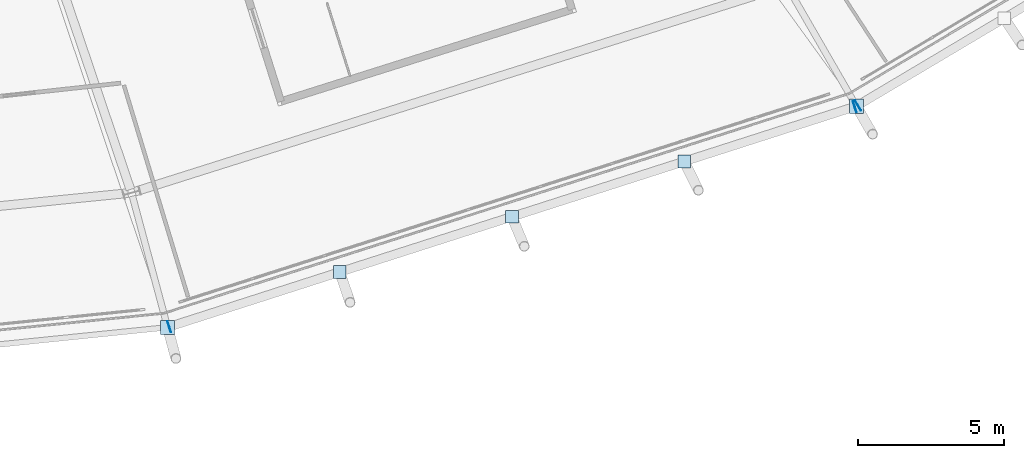
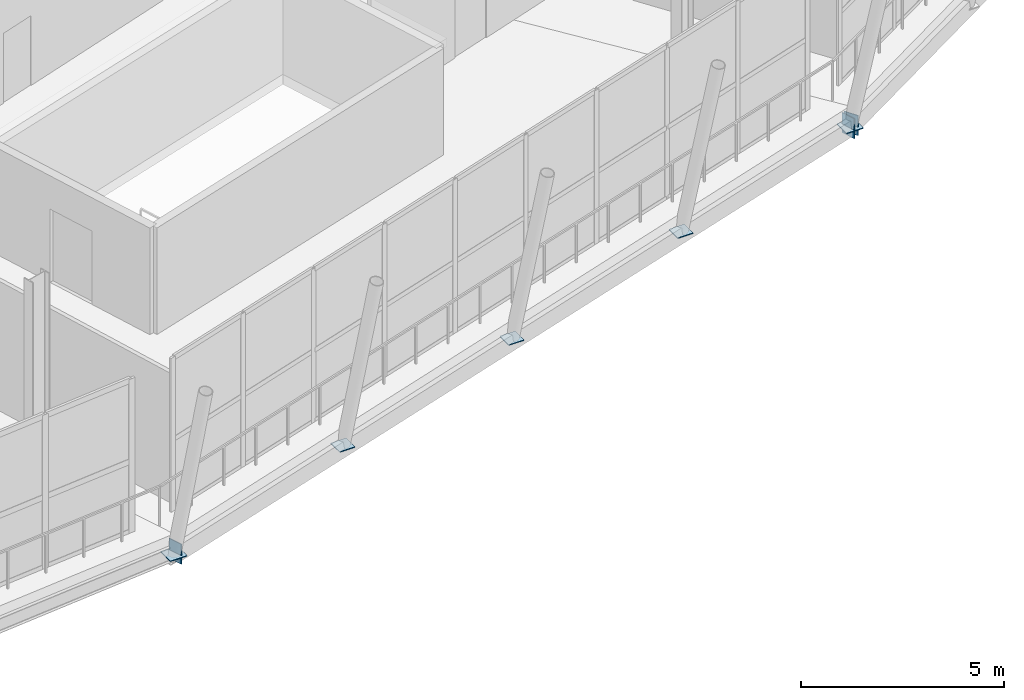
# One storey, part 82 of 126: 8 plates.
"""IFC4 building model written with IfcOpenShell, lengths in metres."""

from ifc_helpers import new_model, si_unit, direction, frame, origin, origin_2d, place, context, subcontext, project, spatial, rectangle, extrude, material, layer, layer_set, type_object, element, save


model = new_model("IFC4")

# Units and contexts
model_context = context("Model", 3, precision=1e-05, world=origin(), true_north=direction((0.0, 1.0)))
body_context = subcontext(model_context, "Body", "Model", "MODEL_VIEW")
ifc_project = project(units=[si_unit("LENGTHUNIT", "METRE"), si_unit("AREAUNIT", "SQUARE_METRE"), si_unit("VOLUMEUNIT", "CUBIC_METRE"), si_unit("PLANEANGLEUNIT", "RADIAN"), si_unit("MASSUNIT", "GRAM", prefix="KILO")], contexts=[model_context])

# Site, building, storey
site_placement = place(None, origin())
site = spatial("IfcSite", under=ifc_project, at=site_placement, CompositionType="ELEMENT")
building_placement = place(site_placement, origin())
building = spatial("IfcBuilding", under=site, at=building_placement, Name="Zlatoyarsky Gate Stadium", CompositionType="ELEMENT")
storey_placement = place(building_placement, frame((0.0, 0.0, 20.800048828125)))
storey = spatial("IfcBuildingStorey", under=building, at=storey_placement, Name="L04", CompositionType="ELEMENT", Elevation=20.800048828125)

# Plates
ifc_material = material(Name="Steel S355", Category="steel")
ifc_layer = layer(ifc_material, 0.02392578125)
ifc_layer_set = layer_set([ifc_layer], Name="Steel S355")
plate_type = type_object("IfcPlateType", Name="STEEL HOLLOW CHORD SPLICE SHEET 24", PredefinedType="SHEET", material=ifc_layer_set)
for number, where, z_axis, x_axis, name in (
    (1, (136.36181640625, 6.83056640625, -0.85009765625), (0.0, 0.0, 1.0), (0.952145539472, 0.305645009225, 0.0), "Hollow end cap ND-SP1 CAP-L04-SPD-19 A"),
    (2, (159.82763671875, 14.36328125, -0.85009765625), (0.0, 0.0, 1.0), (0.952145539472, 0.305645009225, 0.0), "Hollow end cap ND-SP1 CAP-L04-SPD-19 B"),
):
    element("IfcPlate", number, at=place(storey_placement, frame(where, z_axis=z_axis, x_axis=x_axis)), inside=storey, type_object=plate_type, Name=name, PredefinedType="SHEET", context=body_context, shape_type="SweptSolid", body=[
        extrude(rectangle(XDim=0.02392578125, YDim=0.39990234375, at=origin_2d()), origin(), (0.0, 0.0, 1.0), 0.60009765625),
    ])
plate_1_placement = place(storey_placement, frame((136.3046875, 6.812255859375, -0.612060546875), z_axis=(0.0, 0.0, 1.0), x_axis=(1.0, 0.0, 0.0)))
element("IfcPlate", 3, at=plate_1_placement, inside=storey, type_object=plate_type, Name="Node closure plate ND-SP1 NCAP-L04-RSTR-19", PredefinedType="SHEET", context=body_context, shape_type="SweptSolid", body=[
    extrude(rectangle(XDim=0.47998046875, YDim=0.47998046875, at=origin_2d()), origin(), (0.0, 0.0, 1.0), 0.02392578125),
])
plate_2_placement = place(storey_placement, frame((159.936279296875, 14.412353515625, -0.85009765625), z_axis=(0.0, 0.0, 1.0), x_axis=(0.859509176685, 0.511120313815, 0.0)))
element("IfcPlate", 4, at=plate_2_placement, inside=storey, type_object=plate_type, Name="Hollow end cap ND-SP1 CAP-L04-SPD-20 A", PredefinedType="SHEET", context=body_context, shape_type="SweptSolid", body=[
    extrude(rectangle(XDim=0.02392578125, YDim=0.39990234375, at=origin_2d()), origin(), (0.0, 0.0, 1.0), 0.60009765625),
])
plate_3_placement = place(storey_placement, frame((159.884765625, 14.381591796875, -0.612060546875), z_axis=(0.0, 0.0, 1.0), x_axis=(1.0, 0.0, 0.0)))
element("IfcPlate", 5, at=plate_3_placement, inside=storey, type_object=plate_type, Name="Node closure plate ND-SP1 NCAP-L04-RSTR-20", PredefinedType="SHEET", context=body_context, shape_type="SweptSolid", body=[
    extrude(rectangle(XDim=0.47998046875, YDim=0.47998046875, at=origin_2d()), origin(), (0.0, 0.0, 1.0), 0.02392578125),
])
for number, where, z_axis, x_axis, name in (
    (6, (142.19970703125, 8.70458984375, -0.56201171875), (0.0, 0.0, 1.0), (1.0, 0.0, 0.0), "Node closure plate ND-SP1 NCAP-RIB-19-1-2T"),
    (7, (148.0947265625, 10.596923828125, -0.56201171875), (0.0, 0.0, 1.0), (1.0, 0.0, 0.0), "Node closure plate ND-SP1 NCAP-RIB-19-2-2T"),
    (8, (153.98974609375, 12.4892578125, -0.56201171875), (0.0, 0.0, 1.0), (1.0, 0.0, 0.0), "Node closure plate ND-SP1 NCAP-RIB-19-3-2T"),
):
    element("IfcPlate", number, at=place(storey_placement, frame(where, z_axis=z_axis, x_axis=x_axis)), inside=storey, type_object=plate_type, Name=name, PredefinedType="SHEET", context=body_context, shape_type="SweptSolid", body=[
        extrude(rectangle(XDim=0.43994140625, YDim=0.43994140625, at=origin_2d()), origin(), (0.0, 0.0, 1.0), 0.02392578125),
    ])

save(model, "model.ifc")
